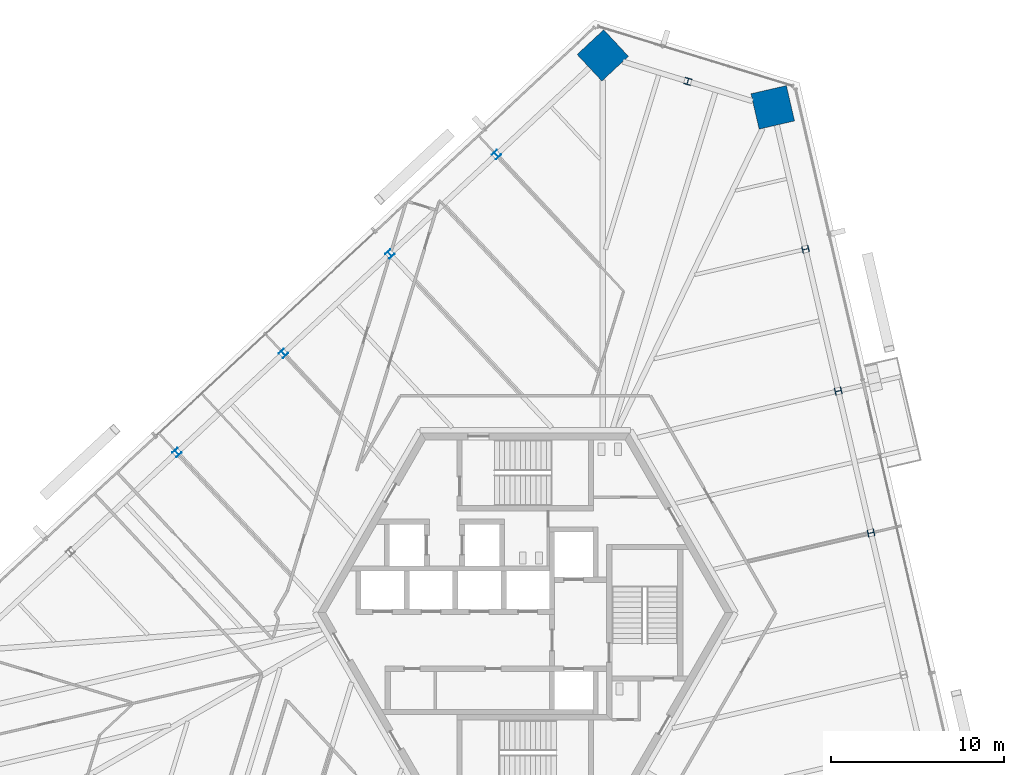
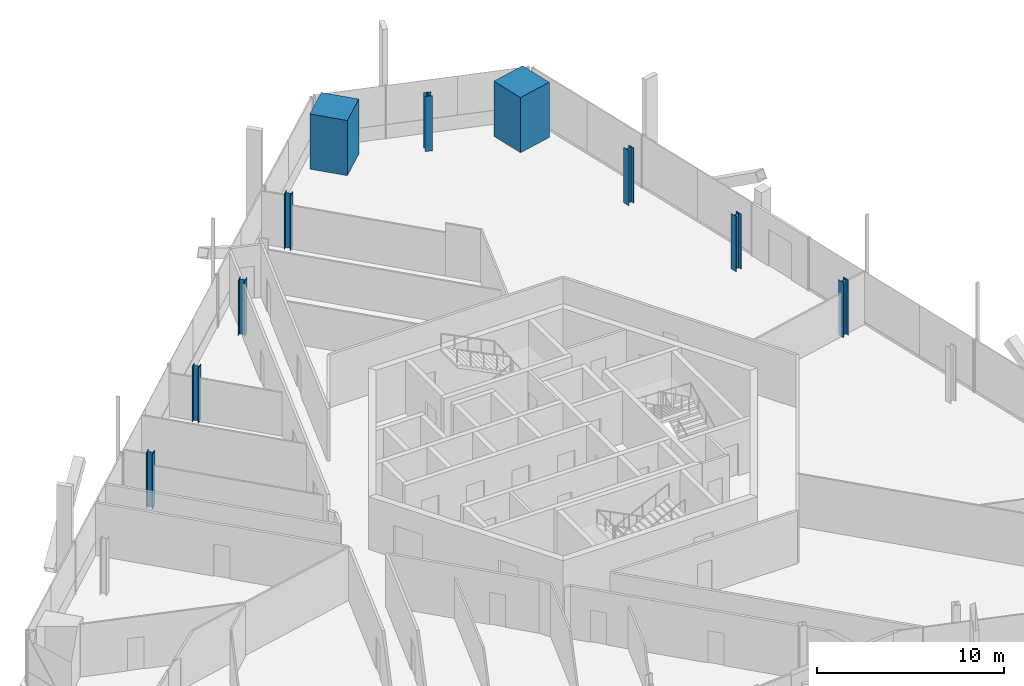
# One storey, part 3 of 23: 10 columns.
"""IFC4 building model written with IfcOpenShell, lengths in metres."""

from ifc_helpers import new_model, si_unit, direction, frame, origin, origin_2d, place, context, subcontext, project, spatial, rectangle, i_section, extrude, source, transform, mapped, material, material_profile, profile_set, type_object, element, save


model = new_model("IFC4")

# Units and contexts
model_context = context("Model", 3, precision=1e-05, world=origin(), true_north=direction((0.0, 1.0)))
body_context = subcontext(model_context, "Body", "Model", "MODEL_VIEW")
ifc_project = project(units=[si_unit("LENGTHUNIT", "METRE"), si_unit("AREAUNIT", "SQUARE_METRE"), si_unit("VOLUMEUNIT", "CUBIC_METRE"), si_unit("PLANEANGLEUNIT", "RADIAN"), si_unit("MASSUNIT", "GRAM", prefix="KILO")], contexts=[model_context])

# Site, building, storey
site_placement = place(None, origin())
site = spatial("IfcSite", under=ifc_project, at=site_placement, CompositionType="ELEMENT")
building_placement = place(site_placement, origin())
building = spatial("IfcBuilding", under=site, at=building_placement, Name="Triune Harvest Tower", CompositionType="ELEMENT")
storey_placement = place(building_placement, frame((0.0, 0.0, 105.5)))
storey = spatial("IfcBuildingStorey", under=building, at=storey_placement, Name="L26", CompositionType="ELEMENT", Elevation=105.5)

# Columns
ifc_material_1 = material(Name="Concrete 70 MPa", Category="concrete")
ifc_material_profile_1 = material_profile(ifc_material_1, rectangle(XDim=2.10009765625, YDim=2.10009765625, at=origin_2d()), Name="Composite 2100x2100")
ifc_profile_set_1 = profile_set([ifc_material_profile_1], Name="Concrete 70 MPa")
column_type_1 = type_object("IfcColumnType", Name="MC-3 Mega column Composite 2100x2100", PredefinedType="COLUMN", material=ifc_profile_set_1)
shared_shape_1 = source(origin(), body_context, "Body", "SweptSolid", [
    extrude(rectangle(XDim=2.10009765625, YDim=2.10009765625, at=origin_2d()), origin(), (0.0, 0.0, 1.0), 3.60009765625),
])
for number, where, z_axis, x_axis, name in (
    (1, (14.301513671875, 29.208984375, 0.0), (0.0, 0.0, 1.0), (-0.22495275494, 0.97436967217, 0.0), "col/L26/M6"),
    (2, (4.47705078125, 32.212646484375, 0.0), (0.0, 0.0, 1.0), (-0.73135489193, -0.681997083608, 0.0), "col/L26/M8"),
):
    element("IfcColumn", number, at=place(storey_placement, frame(where, z_axis=z_axis, x_axis=x_axis)), inside=storey, type_object=column_type_1, Name=name, PredefinedType="COLUMN", context=body_context, shape_type="MappedRepresentation", body=[
        mapped(shared_shape_1, transform((0.0, 0.0, 0.0), scale=1.0)),
    ])
ifc_material_2 = material(Name="Steel ASTM A992 Gr 50", Category="steel")
ifc_material_profile_2 = material_profile(ifc_material_2, i_section(OverallWidth=0.396240234375, OverallDepth=0.381103515625, WebThickness=0.01904296875, FlangeThickness=0.0302734375, at=origin_2d()), Name="W14x159")
ifc_profile_set_2 = profile_set([ifc_material_profile_2], Name="Steel ASTM A992 Gr 50")
column_type_2 = type_object("IfcColumnType", Name="PC-3 Perimeter column W14x159", PredefinedType="COLUMN", material=ifc_profile_set_2)
shared_shape_2 = source(origin(), body_context, "Body", "SweptSolid", [
    extrude(i_section(OverallWidth=0.396240234375, OverallDepth=0.381103515625, WebThickness=0.01904296875, FlangeThickness=0.0302734375, at=origin_2d()), origin(), (0.0, 0.0, 1.0), 3.60009765625),
])
for number, where, z_axis, x_axis, name in (
    (3, (19.97998046875, 4.61279296875, 0.0), (0.0, 0.0, 1.0), (-0.22495275494, 0.97436967217, 0.0), "col/L26/P3"),
    (4, (18.087158203125, 12.8115234375, 0.0), (0.0, 0.0, 1.0), (-0.22495275494, 0.97436967217, 0.0), "col/L26/P4"),
    (5, (16.1943359375, 21.01025390625, 0.0), (0.0, 0.0, 1.0), (-0.22495275494, 0.97436967217, 0.0), "col/L26/P5"),
    (6, (9.389404296875, 30.7109375, 0.0), (0.0, 0.0, 1.0), (-0.956304755963, 0.292371704723, 0.0), "col/L26/P7"),
    (7, (-1.6767578125, 26.47412109375, 0.0), (0.0, 0.0, 1.0), (-0.73135489193, -0.681997083608, 0.0), "col/L26/P9"),
    (8, (-7.830810546875, 20.7353515625, 0.0), (0.0, 0.0, 1.0), (-0.73135489193, -0.681997083608, 0.0), "col/L26/P10"),
    (9, (-13.984619140625, 14.996826171875, 0.0), (0.0, 0.0, 1.0), (-0.73135489193, -0.681997083608, 0.0), "col/L26/P11"),
    (10, (-20.138671875, 9.25830078125, 0.0), (0.0, 0.0, 1.0), (-0.73135489193, -0.681997083608, 0.0), "col/L26/P12"),
):
    element("IfcColumn", number, at=place(storey_placement, frame(where, z_axis=z_axis, x_axis=x_axis)), inside=storey, type_object=column_type_2, Name=name, PredefinedType="COLUMN", context=body_context, shape_type="MappedRepresentation", body=[
        mapped(shared_shape_2, transform((0.0, 0.0, 0.0), scale=1.0)),
    ])

save(model, "model.ifc")
